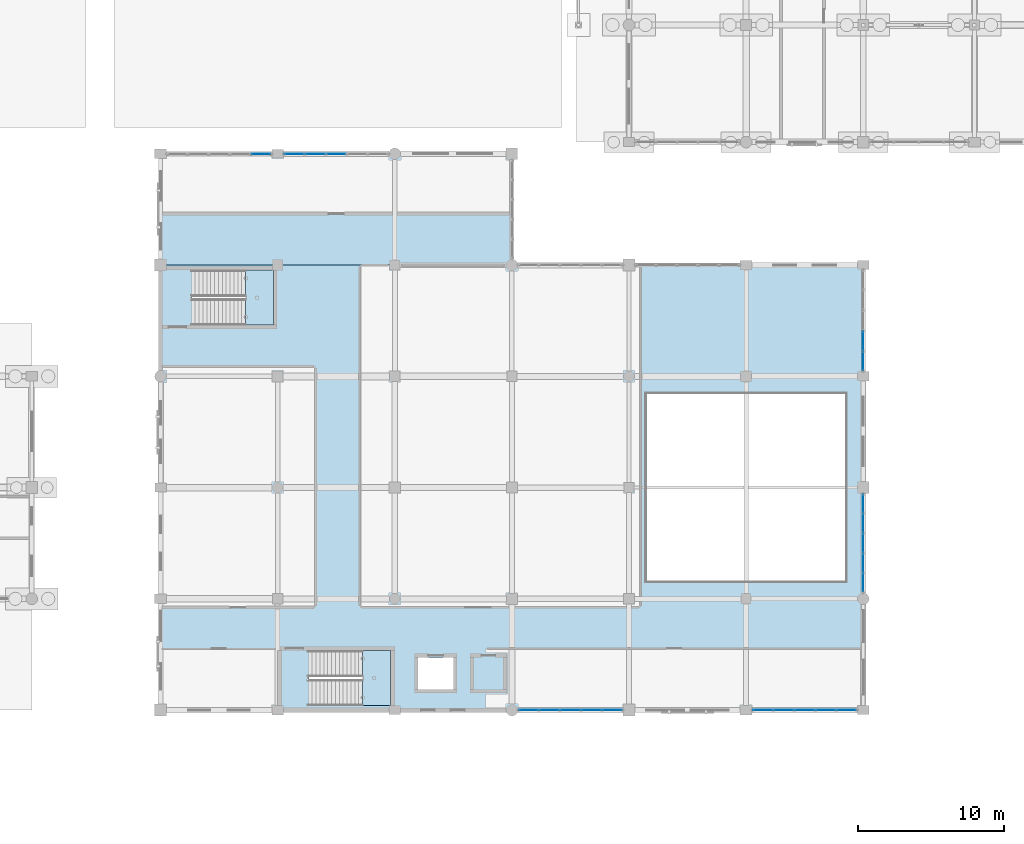
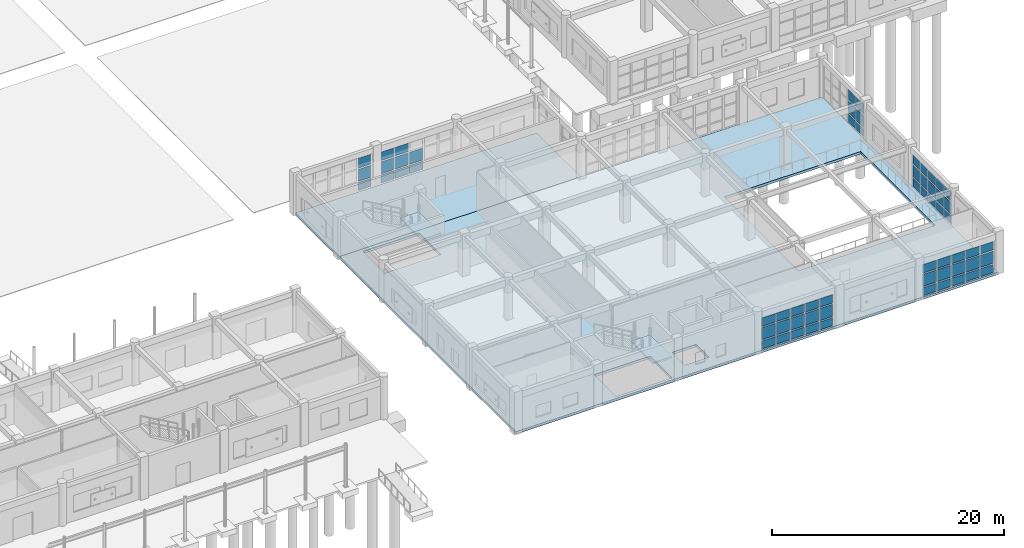
# One storey, part 114 of 166: 62 plates, 4 slabs, 8 elements without a shape of their own.
"""IFC4 building model written with IfcOpenShell, lengths in metres."""

from ifc_helpers import new_model, si_unit, direction, frame, origin, origin_2d, place, context, subcontext, project, spatial, polyline, rectangle, outline, extrude, material, layer, layer_set, type_object, element, aggregate, save


model = new_model("IFC4")

# Units and contexts
model_context = context("Model", 3, precision=1e-05, world=origin(), true_north=direction((0.0, 1.0)))
body_context = subcontext(model_context, "Body", "Model", "MODEL_VIEW")
ifc_project = project(units=[si_unit("LENGTHUNIT", "METRE"), si_unit("AREAUNIT", "SQUARE_METRE"), si_unit("VOLUMEUNIT", "CUBIC_METRE"), si_unit("PLANEANGLEUNIT", "RADIAN"), si_unit("MASSUNIT", "GRAM", prefix="KILO")], contexts=[model_context])

# Site, building, storey
site_placement = place(None, origin())
site = spatial("IfcSite", under=ifc_project, at=site_placement, CompositionType="ELEMENT")
building_placement = place(site_placement, origin())
building = spatial("IfcBuilding", under=site, at=building_placement, Name="Kharva Crest Polytechnic", CompositionType="ELEMENT")
storey_placement = place(building_placement, origin())
storey = spatial("IfcBuildingStorey", under=building, at=storey_placement, Name="L00", CompositionType="ELEMENT", Elevation=0.0)

# Curtain wall, plates
ifc_material_1 = material(Name="Tempered insulated glass", Category="glass")
curtain_wall_type = type_object("IfcCurtainWallType", Name="CW-SYS-REFECTORY", PredefinedType="USERDEFINED", material=ifc_material_1)
curtain_wall_1_placement = place(storey_placement, origin())
curtain_wall_1 = element("IfcCurtainWall", 1, at=curtain_wall_1_placement, inside=storey, type_object=curtain_wall_type, Name="L00 Glazed Curtain Wall CW-006", ObjectType="CURTAIN WALL", PredefinedType="USERDEFINED")
ifc_layer_1 = layer(ifc_material_1, 0.030029296875, Name="Tempered insulated glass")
ifc_layer_set_1 = layer_set([ifc_layer_1], Name="Tempered insulated glass")
plate_type = type_object("IfcPlateType", Name="CWP-GLZ-30", PredefinedType="CURTAIN_PANEL", material=ifc_layer_set_1)
plate_1_placement = place(storey_placement, frame((132.794921875, 38.0, 0.14013671875), z_axis=(0.0, 0.0, 1.0), x_axis=(-1.0, 0.0, 0.0)))
plate_1 = element("IfcPlate", 2, at=plate_1_placement, type_object=plate_type, Name="CW-006 panel 3.1", PredefinedType="CURTAIN_PANEL", context=body_context, shape_type="SweptSolid", body=[
    extrude(rectangle(XDim=1.340087890625, YDim=0.030029296875, at=origin_2d()), origin(), (0.0, 0.0, 1.0), 0.840087890625),
])
plate_2_placement = place(storey_placement, frame((132.794921875, 38.0, 1.1201171875), z_axis=(0.0, 0.0, 1.0), x_axis=(-1.0, 0.0, 0.0)))
plate_2 = element("IfcPlate", 3, at=plate_2_placement, type_object=plate_type, Name="CW-006 panel 3.2", PredefinedType="CURTAIN_PANEL", context=body_context, shape_type="SweptSolid", body=[
    extrude(rectangle(XDim=1.340087890625, YDim=0.030029296875, at=origin_2d()), origin(), (0.0, 0.0, 1.0), 1.260009765625),
])
plate_3_placement = place(storey_placement, frame((131.35498046875, 38.0, 0.14013671875), z_axis=(0.0, 0.0, 1.0), x_axis=(-1.0, 0.0, 0.0)))
plate_3 = element("IfcPlate", 4, at=plate_3_placement, type_object=plate_type, Name="CW-006 panel 4.1", PredefinedType="CURTAIN_PANEL", context=body_context, shape_type="SweptSolid", body=[
    extrude(rectangle(XDim=1.340087890625, YDim=0.030029296875, at=origin_2d()), origin(), (0.0, 0.0, 1.0), 0.840087890625),
])
plate_4_placement = place(storey_placement, frame((131.35498046875, 38.0, 1.1201171875), z_axis=(0.0, 0.0, 1.0), x_axis=(-1.0, 0.0, 0.0)))
plate_4 = element("IfcPlate", 5, at=plate_4_placement, type_object=plate_type, Name="CW-006 panel 4.2", PredefinedType="CURTAIN_PANEL", context=body_context, shape_type="SweptSolid", body=[
    extrude(rectangle(XDim=1.340087890625, YDim=0.030029296875, at=origin_2d()), origin(), (0.0, 0.0, 1.0), 1.260009765625),
])
plate_5_placement = place(storey_placement, frame((131.35498046875, 38.0, 2.52001953125), z_axis=(0.0, 0.0, 1.0), x_axis=(-1.0, 0.0, 0.0)))
plate_5 = element("IfcPlate", 6, at=plate_5_placement, type_object=plate_type, Name="CW-006 panel 4.3", PredefinedType="CURTAIN_PANEL", context=body_context, shape_type="SweptSolid", body=[
    extrude(rectangle(XDim=1.340087890625, YDim=0.030029296875, at=origin_2d()), origin(), (0.0, 0.0, 1.0), 0.8798828125),
])
plate_6_placement = place(storey_placement, frame((129.93994140625, 38.0, 0.14013671875), z_axis=(0.0, 0.0, 1.0), x_axis=(-1.0, 0.0, 0.0)))
plate_6 = element("IfcPlate", 7, at=plate_6_placement, type_object=plate_type, Name="CW-006 panel 5.1", PredefinedType="CURTAIN_PANEL", context=body_context, shape_type="SweptSolid", body=[
    extrude(rectangle(XDim=1.2900390625, YDim=0.030029296875, at=origin_2d()), origin(), (0.0, 0.0, 1.0), 0.840087890625),
])
plate_7_placement = place(storey_placement, frame((129.93994140625, 38.0, 1.1201171875), z_axis=(0.0, 0.0, 1.0), x_axis=(-1.0, 0.0, 0.0)))
plate_7 = element("IfcPlate", 8, at=plate_7_placement, type_object=plate_type, Name="CW-006 panel 5.2", PredefinedType="CURTAIN_PANEL", context=body_context, shape_type="SweptSolid", body=[
    extrude(rectangle(XDim=1.2900390625, YDim=0.030029296875, at=origin_2d()), origin(), (0.0, 0.0, 1.0), 1.260009765625),
])
plate_8_placement = place(storey_placement, frame((129.93994140625, 38.0, 2.52001953125), z_axis=(0.0, 0.0, 1.0), x_axis=(-1.0, 0.0, 0.0)))
plate_8 = element("IfcPlate", 9, at=plate_8_placement, type_object=plate_type, Name="CW-006 panel 5.3", PredefinedType="CURTAIN_PANEL", context=body_context, shape_type="SweptSolid", body=[
    extrude(rectangle(XDim=1.2900390625, YDim=0.030029296875, at=origin_2d()), origin(), (0.0, 0.0, 1.0), 0.8798828125),
])
aggregate(curtain_wall_1, [plate_1, plate_2, plate_3, plate_4, plate_5, plate_6, plate_7, plate_8])

curtain_wall_2_placement = place(storey_placement, origin())
curtain_wall_2 = element("IfcCurtainWall", 10, at=curtain_wall_2_placement, inside=storey, type_object=curtain_wall_type, Name="L00 Glazed Curtain Wall CW-007", ObjectType="CURTAIN WALL", PredefinedType="USERDEFINED")
plate_9_placement = place(storey_placement, frame((127.659912109375, 38.0, 0.14013671875), z_axis=(0.0, 0.0, 1.0), x_axis=(-1.0, 0.0, 0.0)))
plate_9 = element("IfcPlate", 11, at=plate_9_placement, type_object=plate_type, Name="CW-007 panel 1.1", PredefinedType="CURTAIN_PANEL", context=body_context, shape_type="SweptSolid", body=[
    extrude(rectangle(XDim=1.2900390625, YDim=0.030029296875, at=origin_2d()), origin(), (0.0, 0.0, 1.0), 0.840087890625),
])
plate_10_placement = place(storey_placement, frame((127.659912109375, 38.0, 1.1201171875), z_axis=(0.0, 0.0, 1.0), x_axis=(-1.0, 0.0, 0.0)))
plate_10 = element("IfcPlate", 12, at=plate_10_placement, type_object=plate_type, Name="CW-007 panel 1.2", PredefinedType="CURTAIN_PANEL", context=body_context, shape_type="SweptSolid", body=[
    extrude(rectangle(XDim=1.2900390625, YDim=0.030029296875, at=origin_2d()), origin(), (0.0, 0.0, 1.0), 1.260009765625),
])
plate_11_placement = place(storey_placement, frame((127.659912109375, 38.0, 2.52001953125), z_axis=(0.0, 0.0, 1.0), x_axis=(-1.0, 0.0, 0.0)))
plate_11 = element("IfcPlate", 13, at=plate_11_placement, type_object=plate_type, Name="CW-007 panel 1.3", PredefinedType="CURTAIN_PANEL", context=body_context, shape_type="SweptSolid", body=[
    extrude(rectangle(XDim=1.2900390625, YDim=0.030029296875, at=origin_2d()), origin(), (0.0, 0.0, 1.0), 1.010009765625),
])
aggregate(curtain_wall_2, [plate_9, plate_10, plate_11])

curtain_wall_3_placement = place(storey_placement, origin())
curtain_wall_3 = element("IfcCurtainWall", 14, at=curtain_wall_3_placement, inside=storey, type_object=curtain_wall_type, Name="L00 Glazed Curtain Wall CW-008", ObjectType="CURTAIN WALL", PredefinedType="USERDEFINED")
plate_12_placement = place(storey_placement, frame((145.948974609375, 0.0, 0.14013671875), z_axis=(0.0, 0.0, 1.0), x_axis=(1.0, 0.0, 0.0)))
plate_12 = element("IfcPlate", 15, at=plate_12_placement, type_object=plate_type, Name="CW-008 panel 1.1", PredefinedType="CURTAIN_PANEL", context=body_context, shape_type="SweptSolid", body=[
    extrude(rectangle(XDim=1.2880859375, YDim=0.030029296875, at=origin_2d()), origin(), (0.0, 0.0, 1.0), 0.840087890625),
])
plate_13_placement = place(storey_placement, frame((145.948974609375, 0.0, 1.1201171875), z_axis=(0.0, 0.0, 1.0), x_axis=(1.0, 0.0, 0.0)))
plate_13 = element("IfcPlate", 16, at=plate_13_placement, type_object=plate_type, Name="CW-008 panel 1.2", PredefinedType="CURTAIN_PANEL", context=body_context, shape_type="SweptSolid", body=[
    extrude(rectangle(XDim=1.2880859375, YDim=0.030029296875, at=origin_2d()), origin(), (0.0, 0.0, 1.0), 1.260009765625),
])
plate_14_placement = place(storey_placement, frame((145.948974609375, 0.0, 2.52001953125), z_axis=(0.0, 0.0, 1.0), x_axis=(1.0, 0.0, 0.0)))
plate_14 = element("IfcPlate", 17, at=plate_14_placement, type_object=plate_type, Name="CW-008 panel 1.3", PredefinedType="CURTAIN_PANEL", context=body_context, shape_type="SweptSolid", body=[
    extrude(rectangle(XDim=1.2880859375, YDim=0.030029296875, at=origin_2d()), origin(), (0.0, 0.0, 1.0), 0.8798828125),
])
plate_15_placement = place(storey_placement, frame((147.362060546875, 0.0, 0.14013671875), z_axis=(0.0, 0.0, 1.0), x_axis=(1.0, 0.0, 0.0)))
plate_15 = element("IfcPlate", 18, at=plate_15_placement, type_object=plate_type, Name="CW-008 panel 2.1", PredefinedType="CURTAIN_PANEL", context=body_context, shape_type="SweptSolid", body=[
    extrude(rectangle(XDim=1.337890625, YDim=0.030029296875, at=origin_2d()), origin(), (0.0, 0.0, 1.0), 0.840087890625),
])
plate_16_placement = place(storey_placement, frame((147.362060546875, 0.0, 1.1201171875), z_axis=(0.0, 0.0, 1.0), x_axis=(1.0, 0.0, 0.0)))
plate_16 = element("IfcPlate", 19, at=plate_16_placement, type_object=plate_type, Name="CW-008 panel 2.2", PredefinedType="CURTAIN_PANEL", context=body_context, shape_type="SweptSolid", body=[
    extrude(rectangle(XDim=1.337890625, YDim=0.030029296875, at=origin_2d()), origin(), (0.0, 0.0, 1.0), 1.260009765625),
])
plate_17_placement = place(storey_placement, frame((147.362060546875, 0.0, 2.52001953125), z_axis=(0.0, 0.0, 1.0), x_axis=(1.0, 0.0, 0.0)))
plate_17 = element("IfcPlate", 20, at=plate_17_placement, type_object=plate_type, Name="CW-008 panel 2.3", PredefinedType="CURTAIN_PANEL", context=body_context, shape_type="SweptSolid", body=[
    extrude(rectangle(XDim=1.337890625, YDim=0.030029296875, at=origin_2d()), origin(), (0.0, 0.0, 1.0), 0.8798828125),
])
plate_18_placement = place(storey_placement, frame((148.800048828125, 0.0, 0.14013671875), z_axis=(0.0, 0.0, 1.0), x_axis=(1.0, 0.0, 0.0)))
plate_18 = element("IfcPlate", 21, at=plate_18_placement, type_object=plate_type, Name="CW-008 panel 3.1", PredefinedType="CURTAIN_PANEL", context=body_context, shape_type="SweptSolid", body=[
    extrude(rectangle(XDim=1.337890625, YDim=0.030029296875, at=origin_2d()), origin(), (0.0, 0.0, 1.0), 0.840087890625),
])
plate_19_placement = place(storey_placement, frame((148.800048828125, 0.0, 1.1201171875), z_axis=(0.0, 0.0, 1.0), x_axis=(1.0, 0.0, 0.0)))
plate_19 = element("IfcPlate", 22, at=plate_19_placement, type_object=plate_type, Name="CW-008 panel 3.2", PredefinedType="CURTAIN_PANEL", context=body_context, shape_type="SweptSolid", body=[
    extrude(rectangle(XDim=1.337890625, YDim=0.030029296875, at=origin_2d()), origin(), (0.0, 0.0, 1.0), 1.260009765625),
])
plate_20_placement = place(storey_placement, frame((148.800048828125, 0.0, 2.52001953125), z_axis=(0.0, 0.0, 1.0), x_axis=(1.0, 0.0, 0.0)))
plate_20 = element("IfcPlate", 23, at=plate_20_placement, type_object=plate_type, Name="CW-008 panel 3.3", PredefinedType="CURTAIN_PANEL", context=body_context, shape_type="SweptSolid", body=[
    extrude(rectangle(XDim=1.337890625, YDim=0.030029296875, at=origin_2d()), origin(), (0.0, 0.0, 1.0), 0.8798828125),
])
plate_21_placement = place(storey_placement, frame((150.238037109375, 0.0, 0.14013671875), z_axis=(0.0, 0.0, 1.0), x_axis=(1.0, 0.0, 0.0)))
plate_21 = element("IfcPlate", 24, at=plate_21_placement, type_object=plate_type, Name="CW-008 panel 4.1", PredefinedType="CURTAIN_PANEL", context=body_context, shape_type="SweptSolid", body=[
    extrude(rectangle(XDim=1.337890625, YDim=0.030029296875, at=origin_2d()), origin(), (0.0, 0.0, 1.0), 0.840087890625),
])
plate_22_placement = place(storey_placement, frame((150.238037109375, 0.0, 1.1201171875), z_axis=(0.0, 0.0, 1.0), x_axis=(1.0, 0.0, 0.0)))
plate_22 = element("IfcPlate", 25, at=plate_22_placement, type_object=plate_type, Name="CW-008 panel 4.2", PredefinedType="CURTAIN_PANEL", context=body_context, shape_type="SweptSolid", body=[
    extrude(rectangle(XDim=1.337890625, YDim=0.030029296875, at=origin_2d()), origin(), (0.0, 0.0, 1.0), 1.260009765625),
])
plate_23_placement = place(storey_placement, frame((150.238037109375, 0.0, 2.52001953125), z_axis=(0.0, 0.0, 1.0), x_axis=(1.0, 0.0, 0.0)))
plate_23 = element("IfcPlate", 26, at=plate_23_placement, type_object=plate_type, Name="CW-008 panel 4.3", PredefinedType="CURTAIN_PANEL", context=body_context, shape_type="SweptSolid", body=[
    extrude(rectangle(XDim=1.337890625, YDim=0.030029296875, at=origin_2d()), origin(), (0.0, 0.0, 1.0), 0.8798828125),
])
plate_24_placement = place(storey_placement, frame((151.65087890625, 0.0, 0.14013671875), z_axis=(0.0, 0.0, 1.0), x_axis=(1.0, 0.0, 0.0)))
plate_24 = element("IfcPlate", 27, at=plate_24_placement, type_object=plate_type, Name="CW-008 panel 5.1", PredefinedType="CURTAIN_PANEL", context=body_context, shape_type="SweptSolid", body=[
    extrude(rectangle(XDim=1.2880859375, YDim=0.030029296875, at=origin_2d()), origin(), (0.0, 0.0, 1.0), 0.840087890625),
])
plate_25_placement = place(storey_placement, frame((151.65087890625, 0.0, 1.1201171875), z_axis=(0.0, 0.0, 1.0), x_axis=(1.0, 0.0, 0.0)))
plate_25 = element("IfcPlate", 28, at=plate_25_placement, type_object=plate_type, Name="CW-008 panel 5.2", PredefinedType="CURTAIN_PANEL", context=body_context, shape_type="SweptSolid", body=[
    extrude(rectangle(XDim=1.2880859375, YDim=0.030029296875, at=origin_2d()), origin(), (0.0, 0.0, 1.0), 1.260009765625),
])
plate_26_placement = place(storey_placement, frame((151.65087890625, 0.0, 2.52001953125), z_axis=(0.0, 0.0, 1.0), x_axis=(1.0, 0.0, 0.0)))
plate_26 = element("IfcPlate", 29, at=plate_26_placement, type_object=plate_type, Name="CW-008 panel 5.3", PredefinedType="CURTAIN_PANEL", context=body_context, shape_type="SweptSolid", body=[
    extrude(rectangle(XDim=1.2880859375, YDim=0.030029296875, at=origin_2d()), origin(), (0.0, 0.0, 1.0), 0.8798828125),
])
aggregate(curtain_wall_3, [plate_12, plate_13, plate_14, plate_15, plate_16, plate_17, plate_18, plate_19, plate_20, plate_21, plate_22, plate_23, plate_24, plate_25, plate_26])

curtain_wall_4_placement = place(storey_placement, origin())
curtain_wall_4 = element("IfcCurtainWall", 30, at=curtain_wall_4_placement, inside=storey, type_object=curtain_wall_type, Name="L00 Glazed Curtain Wall CW-009", ObjectType="CURTAIN WALL", PredefinedType="USERDEFINED")
plate_27_placement = place(storey_placement, frame((161.949951171875, 0.0, 0.14013671875), z_axis=(0.0, 0.0, 1.0), x_axis=(1.0, 0.0, 0.0)))
plate_27 = element("IfcPlate", 31, at=plate_27_placement, type_object=plate_type, Name="CW-009 panel 1.1", PredefinedType="CURTAIN_PANEL", context=body_context, shape_type="SweptSolid", body=[
    extrude(rectangle(XDim=1.2900390625, YDim=0.030029296875, at=origin_2d()), origin(), (0.0, 0.0, 1.0), 0.840087890625),
])
plate_28_placement = place(storey_placement, frame((161.949951171875, 0.0, 1.1201171875), z_axis=(0.0, 0.0, 1.0), x_axis=(1.0, 0.0, 0.0)))
plate_28 = element("IfcPlate", 32, at=plate_28_placement, type_object=plate_type, Name="CW-009 panel 1.2", PredefinedType="CURTAIN_PANEL", context=body_context, shape_type="SweptSolid", body=[
    extrude(rectangle(XDim=1.2900390625, YDim=0.030029296875, at=origin_2d()), origin(), (0.0, 0.0, 1.0), 1.260009765625),
])
plate_29_placement = place(storey_placement, frame((161.949951171875, 0.0, 2.52001953125), z_axis=(0.0, 0.0, 1.0), x_axis=(1.0, 0.0, 0.0)))
plate_29 = element("IfcPlate", 33, at=plate_29_placement, type_object=plate_type, Name="CW-009 panel 1.3", PredefinedType="CURTAIN_PANEL", context=body_context, shape_type="SweptSolid", body=[
    extrude(rectangle(XDim=1.2900390625, YDim=0.030029296875, at=origin_2d()), origin(), (0.0, 0.0, 1.0), 0.8798828125),
])
plate_30_placement = place(storey_placement, frame((163.364990234375, 0.0, 0.14013671875), z_axis=(0.0, 0.0, 1.0), x_axis=(1.0, 0.0, 0.0)))
plate_30 = element("IfcPlate", 34, at=plate_30_placement, type_object=plate_type, Name="CW-009 panel 2.1", PredefinedType="CURTAIN_PANEL", context=body_context, shape_type="SweptSolid", body=[
    extrude(rectangle(XDim=1.340087890625, YDim=0.030029296875, at=origin_2d()), origin(), (0.0, 0.0, 1.0), 0.840087890625),
])
plate_31_placement = place(storey_placement, frame((163.364990234375, 0.0, 1.1201171875), z_axis=(0.0, 0.0, 1.0), x_axis=(1.0, 0.0, 0.0)))
plate_31 = element("IfcPlate", 35, at=plate_31_placement, type_object=plate_type, Name="CW-009 panel 2.2", PredefinedType="CURTAIN_PANEL", context=body_context, shape_type="SweptSolid", body=[
    extrude(rectangle(XDim=1.340087890625, YDim=0.030029296875, at=origin_2d()), origin(), (0.0, 0.0, 1.0), 1.260009765625),
])
plate_32_placement = place(storey_placement, frame((163.364990234375, 0.0, 2.52001953125), z_axis=(0.0, 0.0, 1.0), x_axis=(1.0, 0.0, 0.0)))
plate_32 = element("IfcPlate", 36, at=plate_32_placement, type_object=plate_type, Name="CW-009 panel 2.3", PredefinedType="CURTAIN_PANEL", context=body_context, shape_type="SweptSolid", body=[
    extrude(rectangle(XDim=1.340087890625, YDim=0.030029296875, at=origin_2d()), origin(), (0.0, 0.0, 1.0), 0.8798828125),
])
plate_33_placement = place(storey_placement, frame((164.804931640625, 0.0, 0.14013671875), z_axis=(0.0, 0.0, 1.0), x_axis=(1.0, 0.0, 0.0)))
plate_33 = element("IfcPlate", 37, at=plate_33_placement, type_object=plate_type, Name="CW-009 panel 3.1", PredefinedType="CURTAIN_PANEL", context=body_context, shape_type="SweptSolid", body=[
    extrude(rectangle(XDim=1.340087890625, YDim=0.030029296875, at=origin_2d()), origin(), (0.0, 0.0, 1.0), 0.840087890625),
])
plate_34_placement = place(storey_placement, frame((164.804931640625, 0.0, 1.1201171875), z_axis=(0.0, 0.0, 1.0), x_axis=(1.0, 0.0, 0.0)))
plate_34 = element("IfcPlate", 38, at=plate_34_placement, type_object=plate_type, Name="CW-009 panel 3.2", PredefinedType="CURTAIN_PANEL", context=body_context, shape_type="SweptSolid", body=[
    extrude(rectangle(XDim=1.340087890625, YDim=0.030029296875, at=origin_2d()), origin(), (0.0, 0.0, 1.0), 1.260009765625),
])
plate_35_placement = place(storey_placement, frame((164.804931640625, 0.0, 2.52001953125), z_axis=(0.0, 0.0, 1.0), x_axis=(1.0, 0.0, 0.0)))
plate_35 = element("IfcPlate", 39, at=plate_35_placement, type_object=plate_type, Name="CW-009 panel 3.3", PredefinedType="CURTAIN_PANEL", context=body_context, shape_type="SweptSolid", body=[
    extrude(rectangle(XDim=1.340087890625, YDim=0.030029296875, at=origin_2d()), origin(), (0.0, 0.0, 1.0), 0.8798828125),
])
plate_36_placement = place(storey_placement, frame((166.2451171875, 0.0, 0.14013671875), z_axis=(0.0, 0.0, 1.0), x_axis=(1.0, 0.0, 0.0)))
plate_36 = element("IfcPlate", 40, at=plate_36_placement, type_object=plate_type, Name="CW-009 panel 4.1", PredefinedType="CURTAIN_PANEL", context=body_context, shape_type="SweptSolid", body=[
    extrude(rectangle(XDim=1.340087890625, YDim=0.030029296875, at=origin_2d()), origin(), (0.0, 0.0, 1.0), 0.840087890625),
])
plate_37_placement = place(storey_placement, frame((166.2451171875, 0.0, 1.1201171875), z_axis=(0.0, 0.0, 1.0), x_axis=(1.0, 0.0, 0.0)))
plate_37 = element("IfcPlate", 41, at=plate_37_placement, type_object=plate_type, Name="CW-009 panel 4.2", PredefinedType="CURTAIN_PANEL", context=body_context, shape_type="SweptSolid", body=[
    extrude(rectangle(XDim=1.340087890625, YDim=0.030029296875, at=origin_2d()), origin(), (0.0, 0.0, 1.0), 1.260009765625),
])
plate_38_placement = place(storey_placement, frame((166.2451171875, 0.0, 2.52001953125), z_axis=(0.0, 0.0, 1.0), x_axis=(1.0, 0.0, 0.0)))
plate_38 = element("IfcPlate", 42, at=plate_38_placement, type_object=plate_type, Name="CW-009 panel 4.3", PredefinedType="CURTAIN_PANEL", context=body_context, shape_type="SweptSolid", body=[
    extrude(rectangle(XDim=1.340087890625, YDim=0.030029296875, at=origin_2d()), origin(), (0.0, 0.0, 1.0), 0.8798828125),
])
plate_39_placement = place(storey_placement, frame((167.659912109375, 0.0, 0.14013671875), z_axis=(0.0, 0.0, 1.0), x_axis=(1.0, 0.0, 0.0)))
plate_39 = element("IfcPlate", 43, at=plate_39_placement, type_object=plate_type, Name="CW-009 panel 5.1", PredefinedType="CURTAIN_PANEL", context=body_context, shape_type="SweptSolid", body=[
    extrude(rectangle(XDim=1.2900390625, YDim=0.030029296875, at=origin_2d()), origin(), (0.0, 0.0, 1.0), 0.840087890625),
])
plate_40_placement = place(storey_placement, frame((167.659912109375, 0.0, 1.1201171875), z_axis=(0.0, 0.0, 1.0), x_axis=(1.0, 0.0, 0.0)))
plate_40 = element("IfcPlate", 44, at=plate_40_placement, type_object=plate_type, Name="CW-009 panel 5.2", PredefinedType="CURTAIN_PANEL", context=body_context, shape_type="SweptSolid", body=[
    extrude(rectangle(XDim=1.2900390625, YDim=0.030029296875, at=origin_2d()), origin(), (0.0, 0.0, 1.0), 1.260009765625),
])
plate_41_placement = place(storey_placement, frame((167.659912109375, 0.0, 2.52001953125), z_axis=(0.0, 0.0, 1.0), x_axis=(1.0, 0.0, 0.0)))
plate_41 = element("IfcPlate", 45, at=plate_41_placement, type_object=plate_type, Name="CW-009 panel 5.3", PredefinedType="CURTAIN_PANEL", context=body_context, shape_type="SweptSolid", body=[
    extrude(rectangle(XDim=1.2900390625, YDim=0.030029296875, at=origin_2d()), origin(), (0.0, 0.0, 1.0), 0.8798828125),
])
aggregate(curtain_wall_4, [plate_27, plate_28, plate_29, plate_30, plate_31, plate_32, plate_33, plate_34, plate_35, plate_36, plate_37, plate_38, plate_39, plate_40, plate_41])

curtain_wall_5_placement = place(storey_placement, origin())
curtain_wall_5 = element("IfcCurtainWall", 46, at=curtain_wall_5_placement, inside=storey, type_object=curtain_wall_type, Name="L00 Glazed Curtain Wall CW-010", ObjectType="CURTAIN WALL", PredefinedType="USERDEFINED")
plate_42_placement = place(storey_placement, frame((168.800048828125, 8.708984375, 0.14013671875), z_axis=(0.0, 0.0, 1.0), x_axis=(0.0, 1.0, 0.0)))
plate_42 = element("IfcPlate", 47, at=plate_42_placement, type_object=plate_type, Name="CW-010 panel 1.1", PredefinedType="CURTAIN_PANEL", context=body_context, shape_type="SweptSolid", body=[
    extrude(rectangle(XDim=1.2080078125, YDim=0.030029296875, at=origin_2d()), origin(), (0.0, 0.0, 1.0), 0.840087890625),
])
plate_43_placement = place(storey_placement, frame((168.800048828125, 8.708984375, 1.1201171875), z_axis=(0.0, 0.0, 1.0), x_axis=(0.0, 1.0, 0.0)))
plate_43 = element("IfcPlate", 48, at=plate_43_placement, type_object=plate_type, Name="CW-010 panel 1.2", PredefinedType="CURTAIN_PANEL", context=body_context, shape_type="SweptSolid", body=[
    extrude(rectangle(XDim=1.2080078125, YDim=0.030029296875, at=origin_2d()), origin(), (0.0, 0.0, 1.0), 1.260009765625),
])
plate_44_placement = place(storey_placement, frame((168.800048828125, 8.708984375, 2.52001953125), z_axis=(0.0, 0.0, 1.0), x_axis=(0.0, 1.0, 0.0)))
plate_44 = element("IfcPlate", 49, at=plate_44_placement, type_object=plate_type, Name="CW-010 panel 1.3", PredefinedType="CURTAIN_PANEL", context=body_context, shape_type="SweptSolid", body=[
    extrude(rectangle(XDim=1.2080078125, YDim=0.030029296875, at=origin_2d()), origin(), (0.0, 0.0, 1.0), 0.93994140625),
])
plate_45_placement = place(storey_placement, frame((168.800048828125, 10.0419921875, 0.14013671875), z_axis=(0.0, 0.0, 1.0), x_axis=(0.0, 1.0, 0.0)))
plate_45 = element("IfcPlate", 50, at=plate_45_placement, type_object=plate_type, Name="CW-010 panel 2.1", PredefinedType="CURTAIN_PANEL", context=body_context, shape_type="SweptSolid", body=[
    extrude(rectangle(XDim=1.258056640625, YDim=0.030029296875, at=origin_2d()), origin(), (0.0, 0.0, 1.0), 0.840087890625),
])
plate_46_placement = place(storey_placement, frame((168.800048828125, 10.0419921875, 1.1201171875), z_axis=(0.0, 0.0, 1.0), x_axis=(0.0, 1.0, 0.0)))
plate_46 = element("IfcPlate", 51, at=plate_46_placement, type_object=plate_type, Name="CW-010 panel 2.2", PredefinedType="CURTAIN_PANEL", context=body_context, shape_type="SweptSolid", body=[
    extrude(rectangle(XDim=1.258056640625, YDim=0.030029296875, at=origin_2d()), origin(), (0.0, 0.0, 1.0), 1.260009765625),
])
plate_47_placement = place(storey_placement, frame((168.800048828125, 10.0419921875, 2.52001953125), z_axis=(0.0, 0.0, 1.0), x_axis=(0.0, 1.0, 0.0)))
plate_47 = element("IfcPlate", 52, at=plate_47_placement, type_object=plate_type, Name="CW-010 panel 2.3", PredefinedType="CURTAIN_PANEL", context=body_context, shape_type="SweptSolid", body=[
    extrude(rectangle(XDim=1.258056640625, YDim=0.030029296875, at=origin_2d()), origin(), (0.0, 0.0, 1.0), 0.93994140625),
])
plate_48_placement = place(storey_placement, frame((168.800048828125, 11.39990234375, 0.14013671875), z_axis=(0.0, 0.0, 1.0), x_axis=(0.0, 1.0, 0.0)))
plate_48 = element("IfcPlate", 53, at=plate_48_placement, type_object=plate_type, Name="CW-010 panel 3.1", PredefinedType="CURTAIN_PANEL", context=body_context, shape_type="SweptSolid", body=[
    extrude(rectangle(XDim=1.258056640625, YDim=0.030029296875, at=origin_2d()), origin(), (0.0, 0.0, 1.0), 0.840087890625),
])
plate_49_placement = place(storey_placement, frame((168.800048828125, 11.39990234375, 1.1201171875), z_axis=(0.0, 0.0, 1.0), x_axis=(0.0, 1.0, 0.0)))
plate_49 = element("IfcPlate", 54, at=plate_49_placement, type_object=plate_type, Name="CW-010 panel 3.2", PredefinedType="CURTAIN_PANEL", context=body_context, shape_type="SweptSolid", body=[
    extrude(rectangle(XDim=1.258056640625, YDim=0.030029296875, at=origin_2d()), origin(), (0.0, 0.0, 1.0), 1.260009765625),
])
plate_50_placement = place(storey_placement, frame((168.800048828125, 11.39990234375, 2.52001953125), z_axis=(0.0, 0.0, 1.0), x_axis=(0.0, 1.0, 0.0)))
plate_50 = element("IfcPlate", 55, at=plate_50_placement, type_object=plate_type, Name="CW-010 panel 3.3", PredefinedType="CURTAIN_PANEL", context=body_context, shape_type="SweptSolid", body=[
    extrude(rectangle(XDim=1.258056640625, YDim=0.030029296875, at=origin_2d()), origin(), (0.0, 0.0, 1.0), 0.93994140625),
])
plate_51_placement = place(storey_placement, frame((168.800048828125, 12.758056640625, 0.14013671875), z_axis=(0.0, 0.0, 1.0), x_axis=(0.0, 1.0, 0.0)))
plate_51 = element("IfcPlate", 56, at=plate_51_placement, type_object=plate_type, Name="CW-010 panel 4.1", PredefinedType="CURTAIN_PANEL", context=body_context, shape_type="SweptSolid", body=[
    extrude(rectangle(XDim=1.258056640625, YDim=0.030029296875, at=origin_2d()), origin(), (0.0, 0.0, 1.0), 0.840087890625),
])
plate_52_placement = place(storey_placement, frame((168.800048828125, 12.758056640625, 1.1201171875), z_axis=(0.0, 0.0, 1.0), x_axis=(0.0, 1.0, 0.0)))
plate_52 = element("IfcPlate", 57, at=plate_52_placement, type_object=plate_type, Name="CW-010 panel 4.2", PredefinedType="CURTAIN_PANEL", context=body_context, shape_type="SweptSolid", body=[
    extrude(rectangle(XDim=1.258056640625, YDim=0.030029296875, at=origin_2d()), origin(), (0.0, 0.0, 1.0), 1.260009765625),
])
plate_53_placement = place(storey_placement, frame((168.800048828125, 12.758056640625, 2.52001953125), z_axis=(0.0, 0.0, 1.0), x_axis=(0.0, 1.0, 0.0)))
plate_53 = element("IfcPlate", 58, at=plate_53_placement, type_object=plate_type, Name="CW-010 panel 4.3", PredefinedType="CURTAIN_PANEL", context=body_context, shape_type="SweptSolid", body=[
    extrude(rectangle(XDim=1.258056640625, YDim=0.030029296875, at=origin_2d()), origin(), (0.0, 0.0, 1.0), 0.93994140625),
])
plate_54_placement = place(storey_placement, frame((168.800048828125, 14.091064453125, 0.14013671875), z_axis=(0.0, 0.0, 1.0), x_axis=(0.0, 1.0, 0.0)))
plate_54 = element("IfcPlate", 59, at=plate_54_placement, type_object=plate_type, Name="CW-010 panel 5.1", PredefinedType="CURTAIN_PANEL", context=body_context, shape_type="SweptSolid", body=[
    extrude(rectangle(XDim=1.2080078125, YDim=0.030029296875, at=origin_2d()), origin(), (0.0, 0.0, 1.0), 0.840087890625),
])
plate_55_placement = place(storey_placement, frame((168.800048828125, 14.091064453125, 1.1201171875), z_axis=(0.0, 0.0, 1.0), x_axis=(0.0, 1.0, 0.0)))
plate_55 = element("IfcPlate", 60, at=plate_55_placement, type_object=plate_type, Name="CW-010 panel 5.2", PredefinedType="CURTAIN_PANEL", context=body_context, shape_type="SweptSolid", body=[
    extrude(rectangle(XDim=1.2080078125, YDim=0.030029296875, at=origin_2d()), origin(), (0.0, 0.0, 1.0), 1.260009765625),
])
plate_56_placement = place(storey_placement, frame((168.800048828125, 14.091064453125, 2.52001953125), z_axis=(0.0, 0.0, 1.0), x_axis=(0.0, 1.0, 0.0)))
plate_56 = element("IfcPlate", 61, at=plate_56_placement, type_object=plate_type, Name="CW-010 panel 5.3", PredefinedType="CURTAIN_PANEL", context=body_context, shape_type="SweptSolid", body=[
    extrude(rectangle(XDim=1.2080078125, YDim=0.030029296875, at=origin_2d()), origin(), (0.0, 0.0, 1.0), 0.93994140625),
])
aggregate(curtain_wall_5, [plate_42, plate_43, plate_44, plate_45, plate_46, plate_47, plate_48, plate_49, plate_50, plate_51, plate_52, plate_53, plate_54, plate_55, plate_56])

curtain_wall_6_placement = place(storey_placement, origin())
curtain_wall_6 = element("IfcCurtainWall", 62, at=curtain_wall_6_placement, inside=storey, type_object=curtain_wall_type, Name="L00 Glazed Curtain Wall CW-011", ObjectType="CURTAIN WALL", PredefinedType="USERDEFINED")
plate_57_placement = place(storey_placement, frame((168.800048828125, 23.8515625, 0.14013671875), z_axis=(0.0, 0.0, 1.0), x_axis=(0.0, 1.0, 0.0)))
plate_57 = element("IfcPlate", 63, at=plate_57_placement, type_object=plate_type, Name="CW-011 panel 1.1", PredefinedType="CURTAIN_PANEL", context=body_context, shape_type="SweptSolid", body=[
    extrude(rectangle(XDim=1.242919921875, YDim=0.030029296875, at=origin_2d()), origin(), (0.0, 0.0, 1.0), 0.840087890625),
])
plate_58_placement = place(storey_placement, frame((168.800048828125, 23.8515625, 1.1201171875), z_axis=(0.0, 0.0, 1.0), x_axis=(0.0, 1.0, 0.0)))
plate_58 = element("IfcPlate", 64, at=plate_58_placement, type_object=plate_type, Name="CW-011 panel 1.2", PredefinedType="CURTAIN_PANEL", context=body_context, shape_type="SweptSolid", body=[
    extrude(rectangle(XDim=1.242919921875, YDim=0.030029296875, at=origin_2d()), origin(), (0.0, 0.0, 1.0), 1.260009765625),
])
plate_59_placement = place(storey_placement, frame((168.800048828125, 23.8515625, 2.52001953125), z_axis=(0.0, 0.0, 1.0), x_axis=(0.0, 1.0, 0.0)))
plate_59 = element("IfcPlate", 65, at=plate_59_placement, type_object=plate_type, Name="CW-011 panel 1.3", PredefinedType="CURTAIN_PANEL", context=body_context, shape_type="SweptSolid", body=[
    extrude(rectangle(XDim=1.242919921875, YDim=0.030029296875, at=origin_2d()), origin(), (0.0, 0.0, 1.0), 1.0400390625),
])
plate_60_placement = place(storey_placement, frame((168.800048828125, 25.219482421875, 0.14013671875), z_axis=(0.0, 0.0, 1.0), x_axis=(0.0, 1.0, 0.0)))
plate_60 = element("IfcPlate", 66, at=plate_60_placement, type_object=plate_type, Name="CW-011 panel 2.1", PredefinedType="CURTAIN_PANEL", context=body_context, shape_type="SweptSolid", body=[
    extrude(rectangle(XDim=1.29296875, YDim=0.030029296875, at=origin_2d()), origin(), (0.0, 0.0, 1.0), 0.840087890625),
])
plate_61_placement = place(storey_placement, frame((168.800048828125, 25.219482421875, 1.1201171875), z_axis=(0.0, 0.0, 1.0), x_axis=(0.0, 1.0, 0.0)))
plate_61 = element("IfcPlate", 67, at=plate_61_placement, type_object=plate_type, Name="CW-011 panel 2.2", PredefinedType="CURTAIN_PANEL", context=body_context, shape_type="SweptSolid", body=[
    extrude(rectangle(XDim=1.29296875, YDim=0.030029296875, at=origin_2d()), origin(), (0.0, 0.0, 1.0), 1.260009765625),
])
plate_62_placement = place(storey_placement, frame((168.800048828125, 25.219482421875, 2.52001953125), z_axis=(0.0, 0.0, 1.0), x_axis=(0.0, 1.0, 0.0)))
plate_62 = element("IfcPlate", 68, at=plate_62_placement, type_object=plate_type, Name="CW-011 panel 2.3", PredefinedType="CURTAIN_PANEL", context=body_context, shape_type="SweptSolid", body=[
    extrude(rectangle(XDim=1.29296875, YDim=0.030029296875, at=origin_2d()), origin(), (0.0, 0.0, 1.0), 1.0400390625),
])
aggregate(curtain_wall_6, [plate_57, plate_58, plate_59, plate_60, plate_61, plate_62])

# Slabs
ifc_material_2 = material(Name="Concrete C35/45", Category="concrete")
ifc_layer_2 = layer(ifc_material_2, 0.260009765625, Name="Concrete C35/45")
ifc_layer_set_2 = layer_set([ifc_layer_2], Name="Concrete C35/45")
slab_type_1 = type_object("IfcSlabType", Name="SLB-FLR-260", PredefinedType="FLOOR", material=ifc_layer_set_2)
slab_1_placement = place(storey_placement, frame((0.0, 0.0, -0.260009765625)))
element("IfcSlab", 69, at=slab_1_placement, inside=storey, type_object=slab_type_1, Name="L00 Structural Slab SE_REF_MAIN", PredefinedType="FLOOR", context=body_context, shape_type="SweptSolid", body=[
    extrude(outline(polyline([(120.800048828125, 0.0), (168.800048828125, 0.0), (168.800048828125, 30.39990234375), (120.800048828125, 30.39990234375), (120.800048828125, 0.0)]), holes=[polyline([(130.929931640625, 0.300048828125), (136.5, 0.300048828125), (136.5, 4.06005859375), (130.929931640625, 4.06005859375), (130.929931640625, 0.300048828125)]), polyline([(138.39990234375, 1.39990234375), (140.800048828125, 1.39990234375), (140.800048828125, 3.60009765625), (138.39990234375, 3.60009765625), (138.39990234375, 1.39990234375)]), polyline([(122.93994140625, 26.2900390625), (128.5, 26.2900390625), (128.5, 30.050048828125), (122.93994140625, 30.050048828125), (122.93994140625, 26.2900390625)]), polyline([(154.0, 8.800048828125), (167.60009765625, 8.800048828125), (167.60009765625, 21.60009765625), (154.0, 21.60009765625), (154.0, 8.800048828125)])]), origin(), (0.0, 0.0, 1.0), 0.260009765625),
])
slab_2_placement = place(storey_placement, frame((0.0, 0.0, -0.260009765625)))
element("IfcSlab", 70, at=slab_2_placement, inside=storey, type_object=slab_type_1, Name="L00 Structural Slab SE_REF_N", PredefinedType="FLOOR", context=body_context, shape_type="SweptSolid", body=[
    extrude(outline(polyline([(120.800048828125, 30.39990234375), (144.800048828125, 30.39990234375), (144.800048828125, 38.0), (120.800048828125, 38.0), (120.800048828125, 30.39990234375)])), origin(), (0.0, 0.0, 1.0), 0.260009765625),
])

# Stair, slab
stair_type_1 = type_object("IfcStairType", Name="STR-DOGLEG-1780", PredefinedType="TWO_STRAIGHT_RUN_STAIR", material=ifc_material_2)
stair_1_placement = place(storey_placement, origin())
stair_1 = element("IfcStair", 71, at=stair_1_placement, inside=storey, type_object=stair_type_1, Name="L00 South-East Refectory Escarpment Core C6", PredefinedType="TWO_STRAIGHT_RUN_STAIR")
ifc_layer_3 = layer(ifc_material_2, 0.199951171875, Name="Concrete C35/45")
ifc_layer_set_3 = layer_set([ifc_layer_3], Name="Concrete C35/45")
slab_type_2 = type_object("IfcSlabType", Name="SLB-LAND-200", PredefinedType="LANDING", material=ifc_layer_set_3)
slab_3_placement = place(storey_placement, frame((0.0, 0.0, 2.050048828125)))
slab_3 = element("IfcSlab", 72, at=slab_3_placement, type_object=slab_type_2, Name="ST-06 landing 1", PredefinedType="LANDING", context=body_context, shape_type="SweptSolid", body=[
    extrude(outline(polyline([(134.60009765625, 0.300048828125), (136.5, 0.300048828125), (136.5, 4.06005859375), (134.60009765625, 4.06005859375), (134.60009765625, 0.300048828125)])), origin(), (0.0, 0.0, 1.0), 0.199951171875),
])
aggregate(stair_1, [slab_3])

stair_type_2 = type_object("IfcStairType", Name="STR-DOGLEG-1790", PredefinedType="TWO_STRAIGHT_RUN_STAIR", material=ifc_material_2)
stair_2_placement = place(storey_placement, origin())
stair_2 = element("IfcStair", 73, at=stair_2_placement, inside=storey, type_object=stair_type_2, Name="L00 South-East Escarpment Secondary Stair C7", PredefinedType="TWO_STRAIGHT_RUN_STAIR")
slab_4_placement = place(storey_placement, frame((0.0, 0.0, 2.050048828125)))
slab_4 = element("IfcSlab", 74, at=slab_4_placement, type_object=slab_type_2, Name="ST-07 landing 1", PredefinedType="LANDING", context=body_context, shape_type="SweptSolid", body=[
    extrude(outline(polyline([(126.610107421875, 26.2900390625), (128.5, 26.2900390625), (128.5, 30.050048828125), (126.610107421875, 30.050048828125), (126.610107421875, 26.2900390625)])), origin(), (0.0, 0.0, 1.0), 0.199951171875),
])
aggregate(stair_2, [slab_4])

save(model, "model.ifc")
